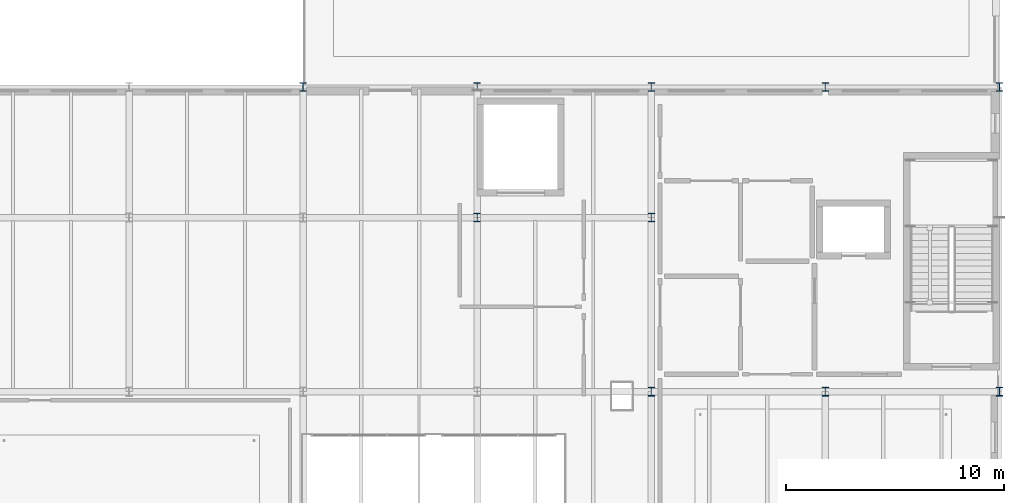
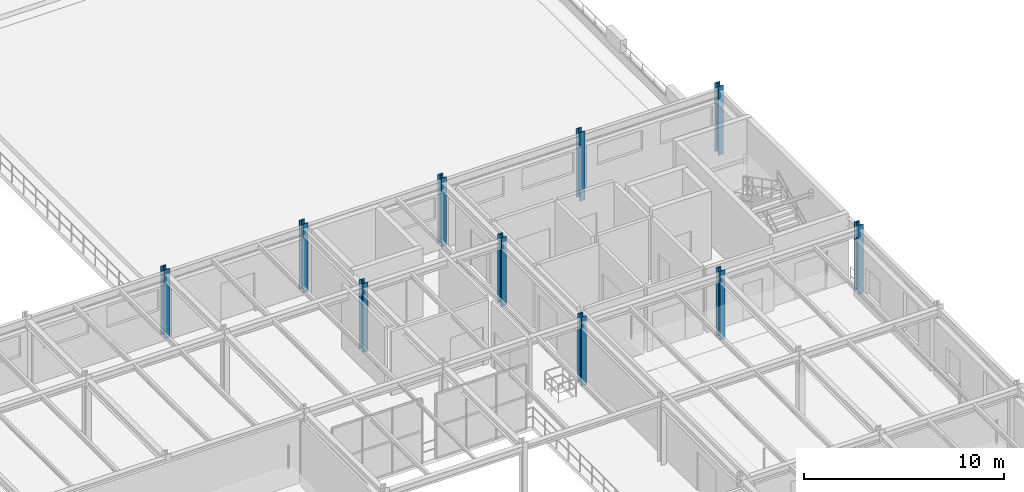
# One storey, part 11 of 67: 10 columns.
"""IFC4 building model written with IfcOpenShell, lengths in metres."""

from ifc_helpers import new_model, si_unit, direction, frame, origin, origin_2d, place, context, subcontext, project, spatial, i_section, extrude, material, material_profile, profile_set, type_object, element, save


model = new_model("IFC4")

# Units and contexts
model_context = context("Model", 3, precision=1e-05, world=origin(), true_north=direction((0.0, 1.0)))
body_context = subcontext(model_context, "Body", "Model", "MODEL_VIEW")
ifc_project = project(units=[si_unit("LENGTHUNIT", "METRE"), si_unit("AREAUNIT", "SQUARE_METRE"), si_unit("VOLUMEUNIT", "CUBIC_METRE"), si_unit("PLANEANGLEUNIT", "RADIAN"), si_unit("MASSUNIT", "GRAM", prefix="KILO")], contexts=[model_context])

# Site, building, storey
site_placement = place(None, origin())
site = spatial("IfcSite", under=ifc_project, at=site_placement, CompositionType="ELEMENT")
building_placement = place(site_placement, origin())
building = spatial("IfcBuilding", under=site, at=building_placement, Name="Sundkrona Museum", CompositionType="ELEMENT")
storey_placement = place(building_placement, frame((0.0, 0.0, 21.800048828125)))
storey = spatial("IfcBuildingStorey", under=building, at=storey_placement, Name="L04", CompositionType="ELEMENT", Elevation=21.800048828125)

# Columns
ifc_material = material(Name="Steel S355J2", Category="steel")
ifc_material_profile = material_profile(ifc_material, i_section(OverallWidth=0.300048828125, OverallDepth=0.39990234375, WebThickness=0.013427734375, FlangeThickness=0.02392578125, FilletRadius=0.027099609375, at=origin_2d()), Name="HEB 400")
ifc_profile_set = profile_set([ifc_material_profile], Name="Steel S355J2")
column_type = type_object("IfcColumnType", Name="C-HEB400", PredefinedType="COLUMN", material=ifc_profile_set)
for number, where, z_axis, x_axis, name in (
    (1, (136.0, 46.0, 0.0), (0.0, 0.0, 1.0), (1.0, 0.0, 0.0), "L04 Column G/18"),
    (2, (144.0, 40.0, 0.0), (0.0, 0.0, 1.0), (1.0, 0.0, 0.0), "L04 Column F/19"),
    (3, (144.0, 46.0, 0.0), (0.0, 0.0, 1.0), (1.0, 0.0, 0.0), "L04 Column G/19"),
    (4, (152.0, 32.0, 0.0), (0.0, 0.0, 1.0), (1.0, 0.0, 0.0), "L04 Column E/20"),
    (5, (152.0, 40.0, 0.0), (0.0, 0.0, 1.0), (1.0, 0.0, 0.0), "L04 Column F/20"),
    (6, (152.0, 46.0, 0.0), (0.0, 0.0, 1.0), (1.0, 0.0, 0.0), "L04 Column G/20"),
    (7, (160.0, 32.0, 0.0), (0.0, 0.0, 1.0), (1.0, 0.0, 0.0), "L04 Column E/21"),
    (8, (160.0, 46.0, 0.0), (0.0, 0.0, 1.0), (1.0, 0.0, 0.0), "L04 Column G/21"),
    (9, (168.0, 32.0, 0.0), (0.0, 0.0, 1.0), (1.0, 0.0, 0.0), "L04 Column E/22"),
    (10, (168.0, 46.0, 0.0), (0.0, 0.0, 1.0), (1.0, 0.0, 0.0), "L04 Column G/22"),
):
    element("IfcColumn", number, at=place(storey_placement, frame(where, z_axis=z_axis, x_axis=x_axis)), inside=storey, type_object=column_type, Name=name, PredefinedType="COLUMN", context=body_context, shape_type="SweptSolid", body=[
        extrude(i_section(OverallWidth=0.300048828125, OverallDepth=0.39990234375, WebThickness=0.013427734375, FlangeThickness=0.02392578125, FilletRadius=0.027099609375, at=origin_2d()), origin(), (0.0, 0.0, 1.0), 4.199951171875),
    ])

save(model, "model.ifc")
